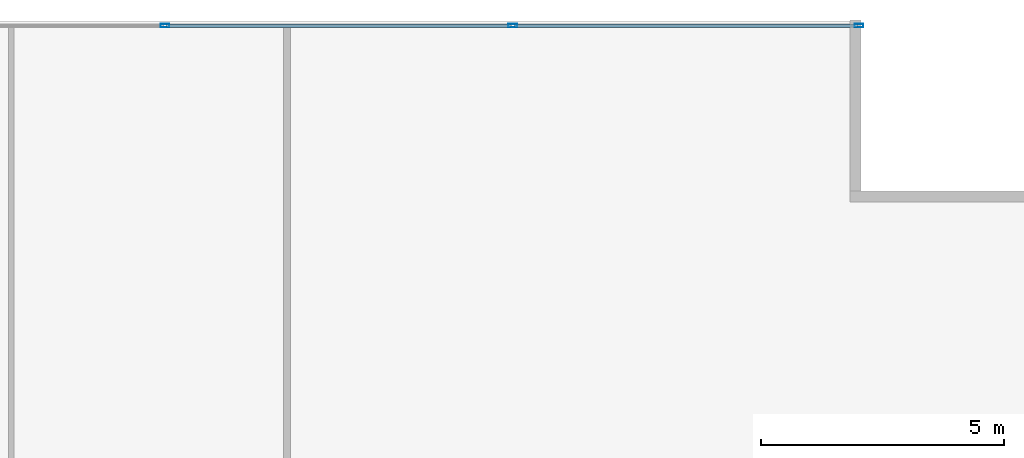
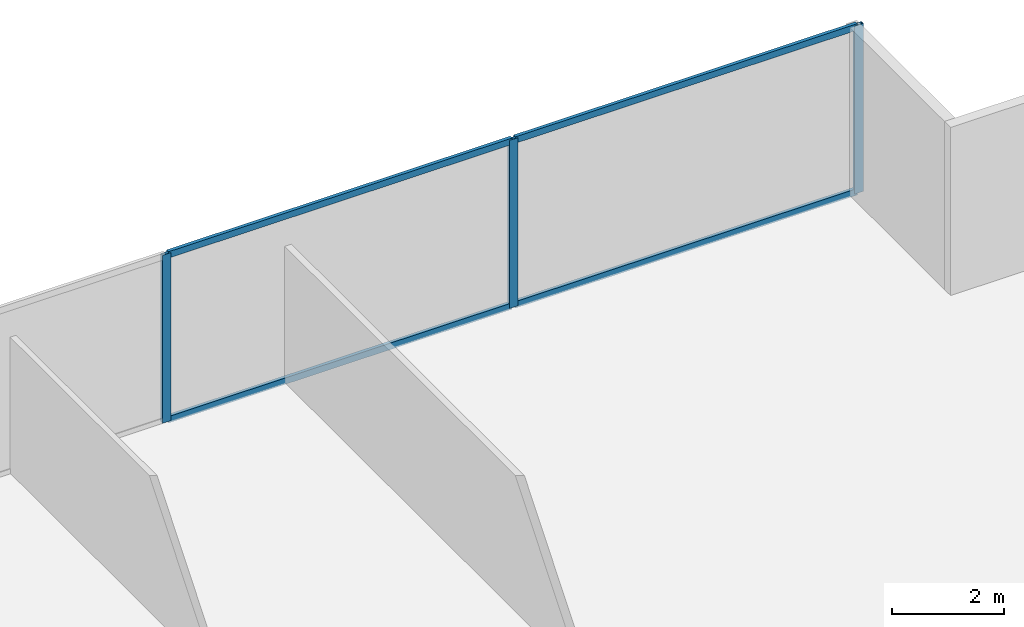
# One storey, part 23 of 28: 7 members, 1 element without a shape of its own.
"""IFC4 building model written with IfcOpenShell, lengths in metres."""

from ifc_helpers import new_model, si_unit, direction, frame, origin, origin_2d, place, context, subcontext, project, spatial, hollow_rectangle, extrude, source, transform, mapped, material, material_profile, profile_set, type_object, type_shapes, element, aggregate, save


model = new_model("IFC4")

# Units and contexts
model_context = context("Model", 3, precision=1e-05, world=origin(), true_north=direction((0.0, 1.0)))
body_context = subcontext(model_context, "Body", "Model", "MODEL_VIEW")
ifc_project = project(units=[si_unit("LENGTHUNIT", "METRE"), si_unit("AREAUNIT", "SQUARE_METRE"), si_unit("VOLUMEUNIT", "CUBIC_METRE"), si_unit("PLANEANGLEUNIT", "RADIAN"), si_unit("MASSUNIT", "GRAM", prefix="KILO")], contexts=[model_context])

# Site, building, storey
site_placement = place(None, origin())
site = spatial("IfcSite", under=ifc_project, at=site_placement, CompositionType="ELEMENT")
building_placement = place(site_placement, origin())
building = spatial("IfcBuilding", under=site, at=building_placement, Name="Krantzveldt Concourse Tower", CompositionType="ELEMENT")
storey_placement = place(building_placement, frame((0.0, 0.0, 28.949951171875)))
storey = spatial("IfcBuildingStorey", under=building, at=storey_placement, Name="L06", CompositionType="ELEMENT", Elevation=28.949951171875)

# Curtain wall, members
ifc_material = material(Name="Anodised aluminium 6063-T6", Category="aluminium")
curtain_wall_type = type_object("IfcCurtainWallType", Name="CW2", PredefinedType="USERDEFINED", material=ifc_material)
curtain_wall_placement = place(storey_placement, origin())
curtain_wall = element("IfcCurtainWall", 1, at=curtain_wall_placement, inside=storey, type_object=curtain_wall_type, Name="CW-L06-F10", ObjectType="UNITISED CURTAIN WALL", PredefinedType="USERDEFINED")
ifc_material_profile_1 = material_profile(ifc_material, hollow_rectangle(XDim=0.070068359375, YDim=0.139892578125, WallThickness=0.0048828125, at=origin_2d()), Name="Anodised aluminium 6063-T6", Category="aluminium")
ifc_profile_set_1 = profile_set([ifc_material_profile_1], Name="Anodised aluminium 6063-T6 - ALU-TRAN 140x70x5")
member_type_1 = type_object("IfcMemberType", Name="CW-TRN-150", PredefinedType="USERDEFINED", material=ifc_profile_set_1)
shared_shape_1 = source(origin(), body_context, "Body", "SweptSolid", [
    extrude(hollow_rectangle(XDim=0.070068359375, YDim=0.139892578125, WallThickness=0.0048828125, at=origin_2d()), origin(), (0.0, 0.0, 1.0), 7.0615234375),
])
member_1_placement = place(storey_placement, frame((57.429931640625, 51.610107421875, 0.03515625), z_axis=(-1.0, 0.0, 0.0), x_axis=(0.0, -1.0, 0.0)))
member_1 = element("IfcMember", 2, at=member_1_placement, type_object=member_type_1, Name="CW-Z12 transom 1.1", ObjectType="TRANSOM", PredefinedType="USERDEFINED", context=body_context, shape_type="MappedRepresentation", body=[
    mapped(shared_shape_1, transform((0.0, 0.0, 0.0), x_axis=(1.0, 0.0, 0.0), y_axis=(0.0, 1.0, 0.0), z_axis=(0.0, 0.0, 1.0), scale=1.0)),
])
member_2_placement = place(storey_placement, frame((57.429931640625, 51.610107421875, 3.635009765625), z_axis=(-1.0, 0.0, 0.0), x_axis=(0.0, -1.0, 0.0)))
member_2 = element("IfcMember", 3, at=member_2_placement, type_object=member_type_1, Name="CW-Z12 transom 1.2", ObjectType="TRANSOM", PredefinedType="USERDEFINED", context=body_context, shape_type="MappedRepresentation", body=[
    mapped(shared_shape_1, transform((0.0, 0.0, 0.0), x_axis=(1.0, 0.0, 0.0), y_axis=(0.0, 1.0, 0.0), z_axis=(0.0, 0.0, 1.0), scale=1.0)),
])
shared_shape_2 = source(origin(), body_context, "Body", "SweptSolid", [
    extrude(hollow_rectangle(XDim=0.070068359375, YDim=0.139892578125, WallThickness=0.0048828125, at=origin_2d()), origin(), (0.0, 0.0, 1.0), 7.0966796875),
])
type_shapes(member_type_1, [shared_shape_1, shared_shape_2])
member_3_placement = place(storey_placement, frame((50.29833984375, 51.610107421875, 0.03515625), z_axis=(-1.0, 0.0, 0.0), x_axis=(0.0, -1.0, 0.0)))
member_3 = element("IfcMember", 4, at=member_3_placement, type_object=member_type_1, Name="CW-Z12 transom 2.1", ObjectType="TRANSOM", PredefinedType="USERDEFINED", context=body_context, shape_type="MappedRepresentation", body=[
    mapped(shared_shape_2, transform((0.0, 0.0, 0.0), x_axis=(1.0, 0.0, 0.0), y_axis=(0.0, 1.0, 0.0), z_axis=(0.0, 0.0, 1.0), scale=1.0)),
])
member_4_placement = place(storey_placement, frame((50.29833984375, 51.610107421875, 3.635009765625), z_axis=(-1.0, 0.0, 0.0), x_axis=(0.0, -1.0, 0.0)))
member_4 = element("IfcMember", 5, at=member_4_placement, type_object=member_type_1, Name="CW-Z12 transom 2.2", ObjectType="TRANSOM", PredefinedType="USERDEFINED", context=body_context, shape_type="MappedRepresentation", body=[
    mapped(shared_shape_2, transform((0.0, 0.0, 0.0), x_axis=(1.0, 0.0, 0.0), y_axis=(0.0, 1.0, 0.0), z_axis=(0.0, 0.0, 1.0), scale=1.0)),
])
ifc_material_profile_2 = material_profile(ifc_material, hollow_rectangle(XDim=0.070068359375, YDim=0.179931640625, WallThickness=0.0048828125, at=origin_2d()), Name="Anodised aluminium 6063-T6", Category="aluminium")
ifc_profile_set_2 = profile_set([ifc_material_profile_2], Name="Anodised aluminium 6063-T6 - ALU-MULL 180x70x5")
member_type_2 = type_object("IfcMemberType", Name="CW-MUL-180", PredefinedType="MULLION", material=ifc_profile_set_2)
shared_shape_3 = source(origin(), body_context, "Body", "SweptSolid", [
    extrude(hollow_rectangle(XDim=0.070068359375, YDim=0.179931640625, WallThickness=0.0048828125, at=origin_2d()), origin(), (0.0, 0.0, 1.0), 3.670166015625),
])
type_shapes(member_type_2, [shared_shape_3])
member_5_placement = place(storey_placement, frame((57.465087890625, 51.610107421875, 0.0), z_axis=(0.0, 0.0, 1.0), x_axis=(0.0, -1.0, 0.0)))
member_5 = element("IfcMember", 6, at=member_5_placement, type_object=member_type_2, Name="CW-Z12 mullion 1", PredefinedType="MULLION", context=body_context, shape_type="MappedRepresentation", body=[
    mapped(shared_shape_3, transform((0.0, 0.0, 0.0), x_axis=(1.0, 0.0, 0.0), y_axis=(0.0, 1.0, 0.0), z_axis=(0.0, 0.0, 1.0), scale=1.0)),
])
member_6_placement = place(storey_placement, frame((50.333251953125, 51.610107421875, 0.0), z_axis=(0.0, 0.0, 1.0), x_axis=(0.0, -1.0, 0.0)))
member_6 = element("IfcMember", 7, at=member_6_placement, type_object=member_type_2, Name="CW-Z12 mullion 2", PredefinedType="MULLION", context=body_context, shape_type="MappedRepresentation", body=[
    mapped(shared_shape_3, transform((0.0, 0.0, 0.0), x_axis=(1.0, 0.0, 0.0), y_axis=(0.0, 1.0, 0.0), z_axis=(0.0, 0.0, 1.0), scale=1.0)),
])
member_7_placement = place(storey_placement, frame((43.166748046875, 51.610107421875, 0.0), z_axis=(0.0, 0.0, 1.0), x_axis=(0.0, -1.0, 0.0)))
member_7 = element("IfcMember", 8, at=member_7_placement, type_object=member_type_2, Name="CW-Z12 mullion 3", PredefinedType="MULLION", context=body_context, shape_type="MappedRepresentation", body=[
    mapped(shared_shape_3, transform((0.0, 0.0, 0.0), x_axis=(1.0, 0.0, 0.0), y_axis=(0.0, 1.0, 0.0), z_axis=(0.0, 0.0, 1.0), scale=1.0)),
])
aggregate(curtain_wall, [member_5, member_6, member_7, member_1, member_2, member_3, member_4])

save(model, "model.ifc")
